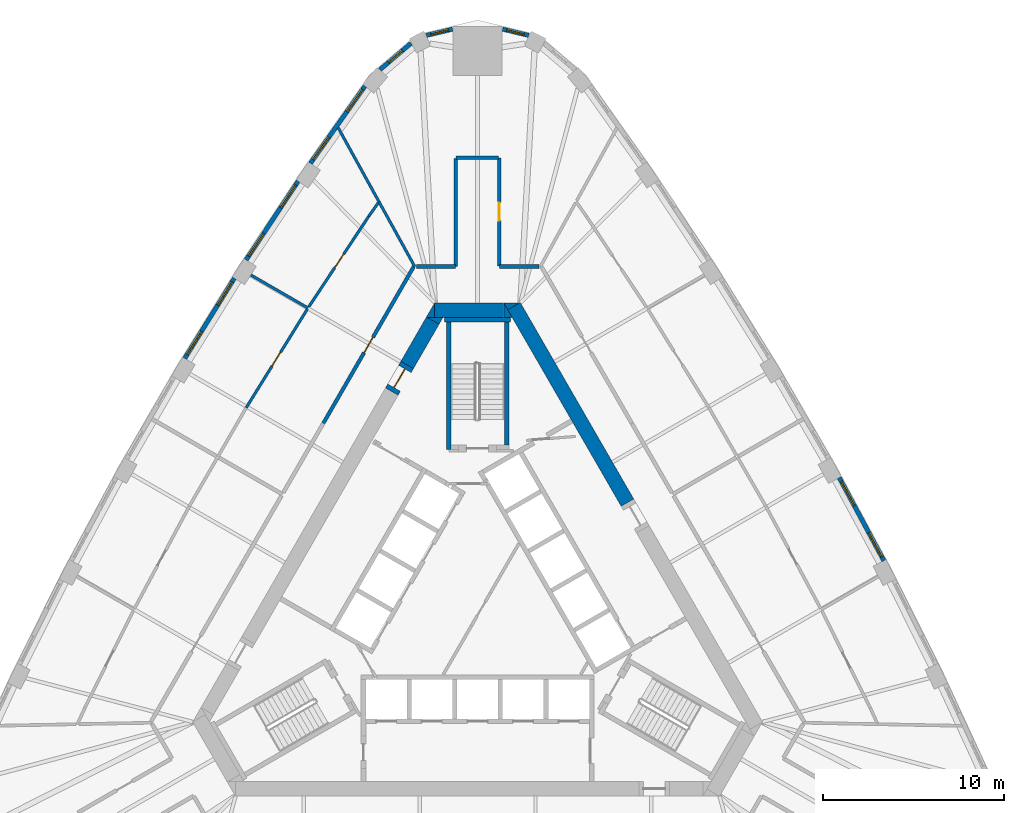
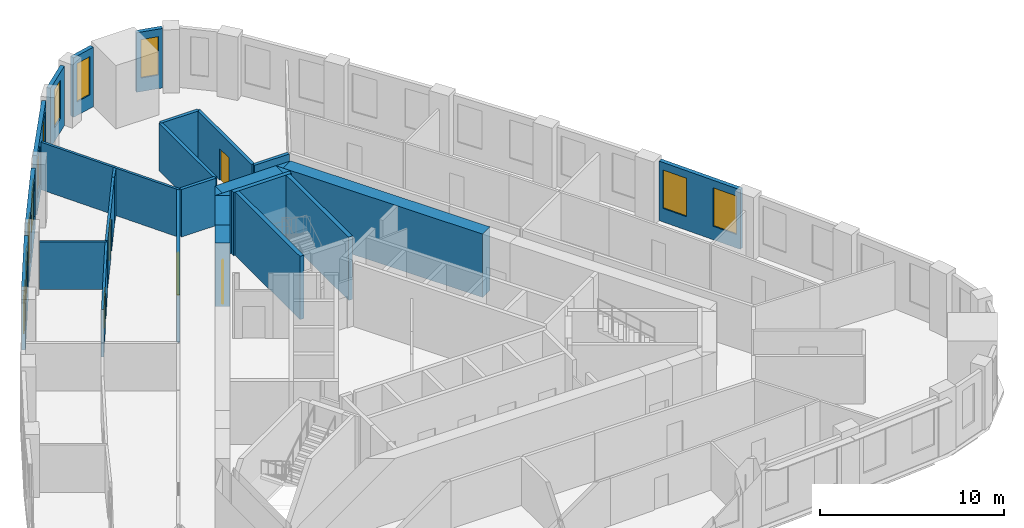
# One storey, part 8 of 10: 30 walls, 11 windows, 5 doors, 16 openings.
"""IFC4 building model written with IfcOpenShell, lengths in metres."""

from ifc_helpers import new_model, si_unit, direction, frame, frame_2d, origin, place, context, subcontext, project, spatial, polyline, rectangle, outline, extrude, material, layer, layer_set, type_object, element, fill, save


model = new_model("IFC4")

# Units and contexts
model_context = context("Model", 3, precision=1e-05, world=origin(), true_north=direction((0.0, 1.0)))
body_context = subcontext(model_context, "Body", "Model", "MODEL_VIEW")
ifc_project = project(units=[si_unit("LENGTHUNIT", "METRE"), si_unit("AREAUNIT", "SQUARE_METRE"), si_unit("VOLUMEUNIT", "CUBIC_METRE"), si_unit("PLANEANGLEUNIT", "RADIAN"), si_unit("MASSUNIT", "GRAM", prefix="KILO")], contexts=[model_context])

# Site, building, storey
site_placement = place(None, origin())
site = spatial("IfcSite", under=ifc_project, at=site_placement, CompositionType="ELEMENT")
building_placement = place(site_placement, origin())
building = spatial("IfcBuilding", under=site, at=building_placement, Name="Mestral Congress Tower", CompositionType="ELEMENT")
storey_placement = place(building_placement, frame((0.0, 0.0, 162.60009765625)))
storey = spatial("IfcBuildingStorey", under=building, at=storey_placement, Name="L38", CompositionType="ELEMENT", Elevation=162.60009765625)

# Walls
ifc_material_1 = material(Name="Concrete C60/75", Category="concrete")
ifc_layer_1 = layer(ifc_material_1, 0.800048828125)
ifc_layer_set_1 = layer_set([ifc_layer_1], Name="Concrete C60/75")
wall_type_1 = type_object("IfcWallType", Name="Core wall RC 800", PredefinedType="SOLIDWALL", material=ifc_layer_set_1)
wall_1_placement = place(storey_placement, frame((8.278564453125, 5.76123046875, 0.0), z_axis=(0.0, 0.0, 1.0), x_axis=(-0.500010359015, 0.866019422922, 0.0)))
element("IfcWall", 1, at=wall_1_placement, inside=storey, type_object=wall_type_1, Name="L38 core wall", PredefinedType="SOLIDWALL", context=body_context, shape_type="SweptSolid", body=[
    extrude(rectangle(XDim=12.527587890625, YDim=0.800048828125, at=frame_2d((6.263671875, 0.0))), origin(), (0.0, 0.0, 1.0), 4.199951171875),
])
placement = place(storey_placement, origin())
element("IfcWall", 2, at=placement, inside=storey, type_object=wall_type_1, Name="L38 core wall", PredefinedType="SOLIDWALL", context=body_context, shape_type="SweptSolid", body=[
    extrude(outline(polyline([(1.443359375, 16.800048828125), (2.33935546875, 16.800048828125), (1.667236328125, 16.412109375), (1.443359375, 16.800048828125)])), origin(), (0.0, 0.0, 1.0), 4.199951171875),
])
wall_3_placement = place(storey_placement, frame((-2.37890625, 16.39990234375, 0.0), z_axis=(0.0, 0.0, 1.0), x_axis=(1.0, 0.0, 0.0)))
element("IfcWall", 3, at=wall_3_placement, inside=storey, type_object=wall_type_1, Name="L38 core wall", PredefinedType="SOLIDWALL", context=body_context, shape_type="SweptSolid", body=[
    extrude(rectangle(XDim=3.82421875, YDim=0.800048828125, at=frame_2d((1.912109375, 0.0))), origin(), (0.0, 0.0, 1.0), 4.199951171875),
])
element("IfcWall", 4, at=placement, inside=storey, type_object=wall_type_1, Name="L38 core wall", PredefinedType="SOLIDWALL", context=body_context, shape_type="SweptSolid", body=[
    extrude(outline(polyline([(1.9052734375, 16.0), (1.447265625, 16.0), (1.447265625, 16.793212890625), (1.9052734375, 16.0)])), origin(), (0.0, 0.0, 1.0), 4.199951171875),
])
element("IfcWall", 5, at=placement, inside=storey, type_object=wall_type_1, Name="L38 core wall", PredefinedType="SOLIDWALL", context=body_context, shape_type="SweptSolid", body=[
    extrude(outline(polyline([(-2.8291015625, 16.0), (-2.381103515625, 16.77587890625), (-2.381103515625, 16.0), (-2.8291015625, 16.0)])), origin(), (0.0, 0.0, 1.0), 4.199951171875),
])
wall_6_placement = place(storey_placement, frame((-2.476806640625, 15.810302734375, 0.0), z_axis=(0.0, 0.0, 1.0), x_axis=(-0.499969377405, -0.866043083026, 0.0)))
element("IfcWall", 6, at=wall_6_placement, inside=storey, type_object=wall_type_1, Name="L38 core wall", PredefinedType="SOLIDWALL", context=body_context, shape_type="SweptSolid", body=[
    extrude(rectangle(XDim=2.824462890625, YDim=0.800048828125, at=frame_2d((1.412109375, 0.0))), origin(), (0.0, 0.0, 1.0), 4.199951171875),
])
element("IfcWall", 7, at=placement, inside=storey, type_object=wall_type_1, Name="L38 core wall", PredefinedType="SOLIDWALL", context=body_context, shape_type="SweptSolid", body=[
    extrude(outline(polyline([(-1.9052734375, 16.0), (-2.12939453125, 15.612060546875), (-2.80126953125, 16.0), (-1.9052734375, 16.0)])), origin(), (0.0, 0.0, 1.0), 4.199951171875),
])

# Wall, opening, door
wall_8_placement = place(storey_placement, frame((-4.739013671875, 11.89208984375, 0.0), z_axis=(0.0, 0.0, 1.0), x_axis=(0.500062241894, 0.865989465428, 0.0)))
wall_8 = element("IfcWall", 8, at=wall_8_placement, inside=storey, type_object=wall_type_1, Name="L38 door wall", PredefinedType="SOLIDWALL", context=body_context, shape_type="SweptSolid", body=[
    extrude(rectangle(XDim=1.699951171875, YDim=0.800048828125, at=frame_2d((0.85009765625, 0.0))), origin(), (0.0, 0.0, 1.0), 4.199951171875),
])
opening_1_placement = place(wall_8_placement, frame((0.25, 0.0, 0.0)))
opening_1 = element("IfcOpeningElement", 9, at=opening_1_placement, cuts=wall_8, Name="Opening XD2", PredefinedType="OPENING", context=body_context, shape_type="SweptSolid", body=[
    extrude(rectangle(XDim=1.199951171875, YDim=2.10009765625, at=frame_2d((0.60009765625, 1.050048828125))), frame((0.0, 0.409912109375, 0.0), z_axis=(0.0, -1.0, 0.0), x_axis=(1.0, 0.0, 0.0)), (0.0, 0.0, 1.0), 0.820068359375),
])
ifc_material_2 = material(Name="Fire-rated steel door set", Category="steel")
door_type_1 = type_object("IfcDoorType", Name="Core door XD 1200x2100", OperationType="SINGLE_SWING_LEFT", PredefinedType="DOOR", material=ifc_material_2)
door_1_placement = place(opening_1_placement, origin())
door_1 = element("IfcDoor", 10, at=door_1_placement, inside=storey, type_object=door_type_1, Name="Door XD2", OperationType="SINGLE_SWING_LEFT", OverallHeight=2.10009765625, OverallWidth=1.199951171875, PredefinedType="DOOR", context=body_context, shape_type="SweptSolid", body=[
    extrude(rectangle(XDim=1.199951171875, YDim=2.10009765625, at=frame_2d((0.60009765625, 1.050048828125))), frame((0.0, 0.02490234375, 0.0), z_axis=(0.0, -1.0, 0.0), x_axis=(1.0, 0.0, 0.0)), (0.0, 0.0, 1.0), 0.050048828125),
])
fill(opening_1, door_1)

# Wall, openings, windows
ifc_material_3 = material(Name="Precast concrete C40/50 with limestone facing", Category="masonry")
ifc_layer_2 = layer(ifc_material_3, 0.239990234375)
ifc_layer_set_2 = layer_set([ifc_layer_2], Name="Precast concrete C40/50 with limestone facing")
wall_type_2 = type_object("IfcWallType", Name="Facade stone wall 240", PredefinedType="SOLIDWALL", material=ifc_layer_set_2)
wall_9_placement = place(storey_placement, frame((22.43994140625, 2.554931640625, 0.0), z_axis=(0.0, 0.0, 1.0), x_axis=(-0.473349833294, 0.880874528704, 0.0)))
wall_9 = element("IfcWall", 11, at=wall_9_placement, inside=storey, type_object=wall_type_2, Name="Facade wall F1-02", PredefinedType="SOLIDWALL", context=body_context, shape_type="SweptSolid", body=[
    extrude(rectangle(XDim=5.20361328125, YDim=0.239990234375, at=frame_2d((2.601806640625, 0.0))), origin(), (0.0, 0.0, 1.0), 3.949951171875),
])
opening_2_placement = place(wall_9_placement, frame((0.248291015625, 0.0, 0.89990234375)))
opening_2 = element("IfcOpeningElement", 12, at=opening_2_placement, cuts=wall_9, Name="Opening W4", PredefinedType="OPENING", context=body_context, shape_type="SweptSolid", body=[
    extrude(rectangle(XDim=1.5, YDim=2.550048828125, at=frame_2d((0.75, 1.27490234375))), frame((0.0, 0.1298828125, 0.0), z_axis=(0.0, -1.0, 0.0), x_axis=(1.0, 0.0, 0.0)), (0.0, 0.0, 1.0), 0.260009765625),
])
opening_3_placement = place(wall_9_placement, frame((3.455078125, 0.0, 0.89990234375)))
opening_3 = element("IfcOpeningElement", 13, at=opening_3_placement, cuts=wall_9, Name="Opening W4", PredefinedType="OPENING", context=body_context, shape_type="SweptSolid", body=[
    extrude(rectangle(XDim=1.5, YDim=2.550048828125, at=frame_2d((0.75, 1.27490234375))), frame((0.0, 0.1298828125, 0.0), z_axis=(0.0, -1.0, 0.0), x_axis=(1.0, 0.0, 0.0)), (0.0, 0.0, 1.0), 0.260009765625),
])
ifc_material_4 = material(Name="Clear low-emissivity double glazing", Category="glass")
window_type_1 = type_object("IfcWindowType", Name="Facade punched window 1500 x 2550 sill 900", PartitioningType="SINGLE_PANEL", PredefinedType="WINDOW", material=ifc_material_4)
window_1_placement = place(opening_2_placement, origin())
window_1 = element("IfcWindow", 14, at=window_1_placement, inside=storey, type_object=window_type_1, Name="Window F1-02a", OverallHeight=2.550048828125, OverallWidth=1.5, PartitioningType="SINGLE_PANEL", PredefinedType="WINDOW", context=body_context, shape_type="SweptSolid", body=[
    extrude(rectangle(XDim=1.5, YDim=2.550048828125, at=frame_2d((0.75, 1.27490234375))), frame((0.0, 0.0400390625, 0.0), z_axis=(0.0, -1.0, 0.0), x_axis=(1.0, 0.0, 0.0)), (0.0, 0.0, 1.0), 0.06005859375),
])
fill(opening_2, window_1)
window_2_placement = place(opening_3_placement, origin())
window_2 = element("IfcWindow", 15, at=window_2_placement, inside=storey, type_object=window_type_1, Name="Window F1-02b", OverallHeight=2.550048828125, OverallWidth=1.5, PartitioningType="SINGLE_PANEL", PredefinedType="WINDOW", context=body_context, shape_type="SweptSolid", body=[
    extrude(rectangle(XDim=1.5, YDim=2.550048828125, at=frame_2d((0.75, 1.27490234375))), frame((0.0, 0.0400390625, 0.0), z_axis=(0.0, -1.0, 0.0), x_axis=(1.0, 0.0, 0.0)), (0.0, 0.0, 1.0), 0.06005859375),
])
fill(opening_3, window_2)

# Wall, opening, window
wall_10_placement = place(storey_placement, frame((2.821044921875, 31.56640625, 0.0), z_axis=(0.0, 0.0, 1.0), x_axis=(-0.972479955788, 0.232986556673, 0.0)))
wall_10 = element("IfcWall", 16, at=wall_10_placement, inside=storey, type_object=wall_type_2, Name="Facade wall K1-1", PredefinedType="SOLIDWALL", context=body_context, shape_type="SweptSolid", body=[
    extrude(rectangle(XDim=1.481689453125, YDim=0.239990234375, at=frame_2d((0.74072265625, 0.0))), origin(), (0.0, 0.0, 1.0), 3.949951171875),
])
opening_4_placement = place(wall_10_placement, frame((0.24072265625, 0.0, 0.89990234375)))
opening_4 = element("IfcOpeningElement", 17, at=opening_4_placement, cuts=wall_10, Name="Opening W5", PredefinedType="OPENING", context=body_context, shape_type="SweptSolid", body=[
    extrude(rectangle(XDim=1.0, YDim=2.550048828125, at=frame_2d((0.5, 1.27490234375))), frame((0.0, 0.1298828125, 0.0), z_axis=(0.0, -1.0, 0.0), x_axis=(1.0, 0.0, 0.0)), (0.0, 0.0, 1.0), 0.260009765625),
])
window_type_2 = type_object("IfcWindowType", Name="Facade punched window 1000 x 2550 sill 900", PartitioningType="SINGLE_PANEL", PredefinedType="WINDOW", material=ifc_material_4)
window_3_placement = place(opening_4_placement, origin())
window_3 = element("IfcWindow", 18, at=window_3_placement, inside=storey, type_object=window_type_2, Name="Window K1-1", OverallHeight=2.550048828125, OverallWidth=1.0, PartitioningType="SINGLE_PANEL", PredefinedType="WINDOW", context=body_context, shape_type="SweptSolid", body=[
    extrude(rectangle(XDim=1.0, YDim=2.550048828125, at=frame_2d((0.5, 1.27490234375))), frame((0.0, 0.0400390625, 0.0), z_axis=(0.0, -1.0, 0.0), x_axis=(1.0, 0.0, 0.0)), (0.0, 0.0, 1.0), 0.06005859375),
])
fill(opening_4, window_3)

wall_11_placement = place(storey_placement, frame((-1.380126953125, 31.91162109375, 0.0), z_axis=(0.0, 0.0, 1.0), x_axis=(-0.972479955788, -0.232986556673, 0.0)))
wall_11 = element("IfcWall", 19, at=wall_11_placement, inside=storey, type_object=wall_type_2, Name="Facade wall K1-2", PredefinedType="SOLIDWALL", context=body_context, shape_type="SweptSolid", body=[
    extrude(rectangle(XDim=1.481689453125, YDim=0.239990234375, at=frame_2d((0.74072265625, 0.0))), origin(), (0.0, 0.0, 1.0), 3.949951171875),
])
opening_5_placement = place(wall_11_placement, frame((0.24072265625, 0.0, 0.89990234375)))
opening_5 = element("IfcOpeningElement", 20, at=opening_5_placement, cuts=wall_11, Name="Opening W5", PredefinedType="OPENING", context=body_context, shape_type="SweptSolid", body=[
    extrude(rectangle(XDim=1.0, YDim=2.550048828125, at=frame_2d((0.5, 1.27490234375))), frame((0.0, 0.1298828125, 0.0), z_axis=(0.0, -1.0, 0.0), x_axis=(1.0, 0.0, 0.0)), (0.0, 0.0, 1.0), 0.260009765625),
])
window_4_placement = place(opening_5_placement, origin())
window_4 = element("IfcWindow", 21, at=window_4_placement, inside=storey, type_object=window_type_2, Name="Window K1-2", OverallHeight=2.550048828125, OverallWidth=1.0, PartitioningType="SINGLE_PANEL", PredefinedType="WINDOW", context=body_context, shape_type="SweptSolid", body=[
    extrude(rectangle(XDim=1.0, YDim=2.550048828125, at=frame_2d((0.5, 1.27490234375))), frame((0.0, 0.0400390625, 0.0), z_axis=(0.0, -1.0, 0.0), x_axis=(1.0, 0.0, 0.0)), (0.0, 0.0, 1.0), 0.06005859375),
])
fill(opening_5, window_4)

wall_12_placement = place(storey_placement, frame((-3.67822265625, 31.130859375, 0.0), z_axis=(0.0, 0.0, 1.0), x_axis=(-0.761419744247, -0.648259186645, 0.0)))
wall_12 = element("IfcWall", 22, at=wall_12_placement, inside=storey, type_object=wall_type_2, Name="Facade wall K1-3", PredefinedType="SOLIDWALL", context=body_context, shape_type="SweptSolid", body=[
    extrude(rectangle(XDim=2.250244140625, YDim=0.239990234375, at=frame_2d((1.125, 0.0))), origin(), (0.0, 0.0, 1.0), 3.949951171875),
])
opening_6_placement = place(wall_12_placement, frame((0.625244140625, 0.0, 0.89990234375)))
opening_6 = element("IfcOpeningElement", 23, at=opening_6_placement, cuts=wall_12, Name="Opening W5", PredefinedType="OPENING", context=body_context, shape_type="SweptSolid", body=[
    extrude(rectangle(XDim=1.0, YDim=2.550048828125, at=frame_2d((0.5, 1.27490234375))), frame((0.0, 0.1298828125, 0.0), z_axis=(0.0, -1.0, 0.0), x_axis=(1.0, 0.0, 0.0)), (0.0, 0.0, 1.0), 0.260009765625),
])
window_5_placement = place(opening_6_placement, origin())
window_5 = element("IfcWindow", 24, at=window_5_placement, inside=storey, type_object=window_type_2, Name="Window K1-3", OverallHeight=2.550048828125, OverallWidth=1.0, PartitioningType="SINGLE_PANEL", PredefinedType="WINDOW", context=body_context, shape_type="SweptSolid", body=[
    extrude(rectangle(XDim=1.0, YDim=2.550048828125, at=frame_2d((0.5, 1.27490234375))), frame((0.0, 0.0400390625, 0.0), z_axis=(0.0, -1.0, 0.0), x_axis=(1.0, 0.0, 0.0)), (0.0, 0.0, 1.0), 0.06005859375),
])
fill(opening_6, window_5)

# Wall, openings, windows
wall_13_placement = place(storey_placement, frame((-6.22265625, 28.76171875, 0.0), z_axis=(0.0, 0.0, 1.0), x_axis=(-0.577115207679, -0.816662743772, 0.0)))
wall_13 = element("IfcWall", 25, at=wall_13_placement, inside=storey, type_object=wall_type_2, Name="Facade wall F2-00", PredefinedType="SOLIDWALL", context=body_context, shape_type="SweptSolid", body=[
    extrude(rectangle(XDim=5.213134765625, YDim=0.239990234375, at=frame_2d((2.6064453125, 0.0))), origin(), (0.0, 0.0, 1.0), 3.949951171875),
])
opening_7_placement = place(wall_13_placement, frame((0.220703125, 0.0, 0.89990234375)))
opening_7 = element("IfcOpeningElement", 26, at=opening_7_placement, cuts=wall_13, Name="Opening W4", PredefinedType="OPENING", context=body_context, shape_type="SweptSolid", body=[
    extrude(rectangle(XDim=1.5, YDim=2.550048828125, at=frame_2d((0.75, 1.27490234375))), frame((0.0, 0.1298828125, 0.0), z_axis=(0.0, -1.0, 0.0), x_axis=(1.0, 0.0, 0.0)), (0.0, 0.0, 1.0), 0.260009765625),
])
opening_8_placement = place(wall_13_placement, frame((3.452392578125, 0.0, 0.89990234375)))
opening_8 = element("IfcOpeningElement", 27, at=opening_8_placement, cuts=wall_13, Name="Opening W4", PredefinedType="OPENING", context=body_context, shape_type="SweptSolid", body=[
    extrude(rectangle(XDim=1.5, YDim=2.550048828125, at=frame_2d((0.75, 1.27490234375))), frame((0.0, 0.1298828125, 0.0), z_axis=(0.0, -1.0, 0.0), x_axis=(1.0, 0.0, 0.0)), (0.0, 0.0, 1.0), 0.260009765625),
])
window_6_placement = place(opening_7_placement, origin())
window_6 = element("IfcWindow", 28, at=window_6_placement, inside=storey, type_object=window_type_1, Name="Window F2-00a", OverallHeight=2.550048828125, OverallWidth=1.5, PartitioningType="SINGLE_PANEL", PredefinedType="WINDOW", context=body_context, shape_type="SweptSolid", body=[
    extrude(rectangle(XDim=1.5, YDim=2.550048828125, at=frame_2d((0.75, 1.27490234375))), frame((0.0, 0.0400390625, 0.0), z_axis=(0.0, -1.0, 0.0), x_axis=(1.0, 0.0, 0.0)), (0.0, 0.0, 1.0), 0.06005859375),
])
fill(opening_7, window_6)
window_7_placement = place(opening_8_placement, origin())
window_7 = element("IfcWindow", 29, at=window_7_placement, inside=storey, type_object=window_type_1, Name="Window F2-00b", OverallHeight=2.550048828125, OverallWidth=1.5, PartitioningType="SINGLE_PANEL", PredefinedType="WINDOW", context=body_context, shape_type="SweptSolid", body=[
    extrude(rectangle(XDim=1.5, YDim=2.550048828125, at=frame_2d((0.75, 1.27490234375))), frame((0.0, 0.0400390625, 0.0), z_axis=(0.0, -1.0, 0.0), x_axis=(1.0, 0.0, 0.0)), (0.0, 0.0, 1.0), 0.06005859375),
])
fill(opening_8, window_7)

wall_14_placement = place(storey_placement, frame((-9.911376953125, 23.510009765625, 0.0), z_axis=(0.0, 0.0, 1.0), x_axis=(-0.551892811511, -0.833915058386, 0.0)))
wall_14 = element("IfcWall", 30, at=wall_14_placement, inside=storey, type_object=wall_type_2, Name="Facade wall F2-01", PredefinedType="SOLIDWALL", context=body_context, shape_type="SweptSolid", body=[
    extrude(rectangle(XDim=5.20361328125, YDim=0.239990234375, at=frame_2d((2.601806640625, 0.0))), origin(), (0.0, 0.0, 1.0), 3.949951171875),
])
opening_9_placement = place(wall_14_placement, frame((0.248291015625, 0.0, 0.89990234375)))
opening_9 = element("IfcOpeningElement", 31, at=opening_9_placement, cuts=wall_14, Name="Opening W4", PredefinedType="OPENING", context=body_context, shape_type="SweptSolid", body=[
    extrude(rectangle(XDim=1.5, YDim=2.550048828125, at=frame_2d((0.75, 1.27490234375))), frame((0.0, 0.1298828125, 0.0), z_axis=(0.0, -1.0, 0.0), x_axis=(1.0, 0.0, 0.0)), (0.0, 0.0, 1.0), 0.260009765625),
])
opening_10_placement = place(wall_14_placement, frame((3.455078125, 0.0, 0.89990234375)))
opening_10 = element("IfcOpeningElement", 32, at=opening_10_placement, cuts=wall_14, Name="Opening W4", PredefinedType="OPENING", context=body_context, shape_type="SweptSolid", body=[
    extrude(rectangle(XDim=1.5, YDim=2.550048828125, at=frame_2d((0.75, 1.27490234375))), frame((0.0, 0.1298828125, 0.0), z_axis=(0.0, -1.0, 0.0), x_axis=(1.0, 0.0, 0.0)), (0.0, 0.0, 1.0), 0.260009765625),
])
window_8_placement = place(opening_9_placement, origin())
window_8 = element("IfcWindow", 33, at=window_8_placement, inside=storey, type_object=window_type_1, Name="Window F2-01a", OverallHeight=2.550048828125, OverallWidth=1.5, PartitioningType="SINGLE_PANEL", PredefinedType="WINDOW", context=body_context, shape_type="SweptSolid", body=[
    extrude(rectangle(XDim=1.5, YDim=2.550048828125, at=frame_2d((0.75, 1.27490234375))), frame((0.0, 0.0400390625, 0.0), z_axis=(0.0, -1.0, 0.0), x_axis=(1.0, 0.0, 0.0)), (0.0, 0.0, 1.0), 0.06005859375),
])
fill(opening_9, window_8)
window_9_placement = place(opening_10_placement, origin())
window_9 = element("IfcWindow", 34, at=window_9_placement, inside=storey, type_object=window_type_1, Name="Window F2-01b", OverallHeight=2.550048828125, OverallWidth=1.5, PartitioningType="SINGLE_PANEL", PredefinedType="WINDOW", context=body_context, shape_type="SweptSolid", body=[
    extrude(rectangle(XDim=1.5, YDim=2.550048828125, at=frame_2d((0.75, 1.27490234375))), frame((0.0, 0.0400390625, 0.0), z_axis=(0.0, -1.0, 0.0), x_axis=(1.0, 0.0, 0.0)), (0.0, 0.0, 1.0), 0.06005859375),
])
fill(opening_10, window_9)

wall_15_placement = place(storey_placement, frame((-13.4326171875, 18.156005859375, 0.0), z_axis=(0.0, 0.0, 1.0), x_axis=(-0.526197926587, -0.850362124072, 0.0)))
wall_15 = element("IfcWall", 35, at=wall_15_placement, inside=storey, type_object=wall_type_2, Name="Facade wall F2-02", PredefinedType="SOLIDWALL", context=body_context, shape_type="SweptSolid", body=[
    extrude(rectangle(XDim=5.203369140625, YDim=0.239990234375, at=frame_2d((2.6015625, 0.0))), origin(), (0.0, 0.0, 1.0), 3.949951171875),
])
opening_11_placement = place(wall_15_placement, frame((0.248291015625, 0.0, 0.89990234375)))
opening_11 = element("IfcOpeningElement", 36, at=opening_11_placement, cuts=wall_15, Name="Opening W4", PredefinedType="OPENING", context=body_context, shape_type="SweptSolid", body=[
    extrude(rectangle(XDim=1.5, YDim=2.550048828125, at=frame_2d((0.75, 1.27490234375))), frame((0.0, 0.1298828125, 0.0), z_axis=(0.0, -1.0, 0.0), x_axis=(1.0, 0.0, 0.0)), (0.0, 0.0, 1.0), 0.260009765625),
])
opening_12_placement = place(wall_15_placement, frame((3.455078125, 0.0, 0.89990234375)))
opening_12 = element("IfcOpeningElement", 37, at=opening_12_placement, cuts=wall_15, Name="Opening W4", PredefinedType="OPENING", context=body_context, shape_type="SweptSolid", body=[
    extrude(rectangle(XDim=1.5, YDim=2.550048828125, at=frame_2d((0.75, 1.27490234375))), frame((0.0, 0.1298828125, 0.0), z_axis=(0.0, -1.0, 0.0), x_axis=(1.0, 0.0, 0.0)), (0.0, 0.0, 1.0), 0.260009765625),
])
window_10_placement = place(opening_11_placement, origin())
window_10 = element("IfcWindow", 38, at=window_10_placement, inside=storey, type_object=window_type_1, Name="Window F2-02a", OverallHeight=2.550048828125, OverallWidth=1.5, PartitioningType="SINGLE_PANEL", PredefinedType="WINDOW", context=body_context, shape_type="SweptSolid", body=[
    extrude(rectangle(XDim=1.5, YDim=2.550048828125, at=frame_2d((0.75, 1.27490234375))), frame((0.0, 0.0400390625, 0.0), z_axis=(0.0, -1.0, 0.0), x_axis=(1.0, 0.0, 0.0)), (0.0, 0.0, 1.0), 0.06005859375),
])
fill(opening_11, window_10)
window_11_placement = place(opening_12_placement, origin())
window_11 = element("IfcWindow", 39, at=window_11_placement, inside=storey, type_object=window_type_1, Name="Window F2-02b", OverallHeight=2.550048828125, OverallWidth=1.5, PartitioningType="SINGLE_PANEL", PredefinedType="WINDOW", context=body_context, shape_type="SweptSolid", body=[
    extrude(rectangle(XDim=1.5, YDim=2.550048828125, at=frame_2d((0.75, 1.27490234375))), frame((0.0, 0.0400390625, 0.0), z_axis=(0.0, -1.0, 0.0), x_axis=(1.0, 0.0, 0.0)), (0.0, 0.0, 1.0), 0.06005859375),
])
fill(opening_12, window_11)

# Walls
ifc_material_5 = material(Name="Plasterboard partition on steel studs", Category="steel")
ifc_layer_3 = layer(ifc_material_5, 0.14990234375)
ifc_layer_set_3 = layer_set([ifc_layer_3], Name="Plasterboard partition on steel studs")
wall_type_3 = type_object("IfcWallType", Name="Office partition 150", PredefinedType="PARTITIONING", material=ifc_layer_set_3)
wall_16_placement = place(storey_placement, frame((-5.44189453125, 22.3740234375, 0.0), z_axis=(0.0, 0.0, 1.0), x_axis=(-0.482987550425, 0.875627218703, 0.0)))
element("IfcWall", 40, at=wall_16_placement, inside=storey, type_object=wall_type_3, Name="Partition", PredefinedType="PARTITIONING", context=body_context, shape_type="SweptSolid", body=[
    extrude(rectangle(XDim=4.672119140625, YDim=0.14990234375, at=frame_2d((2.3359375, 0.0))), origin(), (0.0, 0.0, 1.0), 3.14990234375),
])
wall_17_placement = place(storey_placement, frame((-3.470458984375, 18.800048828125, 0.0), z_axis=(0.0, 0.0, 1.0), x_axis=(-0.482974768035, 0.875634269225, 0.0)))
element("IfcWall", 41, at=wall_17_placement, inside=storey, type_object=wall_type_3, Name="Partition", PredefinedType="PARTITIONING", context=body_context, shape_type="SweptSolid", body=[
    extrude(rectangle(XDim=4.08984375, YDim=0.14990234375, at=frame_2d((2.044921875, 0.0))), origin(), (0.0, 0.0, 1.0), 3.14990234375),
])
wall_18_placement = place(storey_placement, frame((-9.363037109375, 16.5107421875, 0.0), z_axis=(0.0, 0.0, 1.0), x_axis=(-0.866006134298, 0.500033374244, 0.0)))
element("IfcWall", 42, at=wall_18_placement, inside=storey, type_object=wall_type_3, Name="Partition", PredefinedType="PARTITIONING", context=body_context, shape_type="SweptSolid", body=[
    extrude(rectangle(XDim=3.647705078125, YDim=0.14990234375, at=frame_2d((1.82373046875, 0.0))), origin(), (0.0, 0.0, 1.0), 3.14990234375),
])
wall_19_placement = place(storey_placement, frame((-5.4921875, 22.309814453125, 0.0), z_axis=(0.0, 0.0, 1.0), x_axis=(-0.576980663571, -0.816757806124, 0.0)))
element("IfcWall", 43, at=wall_19_placement, inside=storey, type_object=wall_type_3, Name="Partition", PredefinedType="PARTITIONING", context=body_context, shape_type="SweptSolid", body=[
    extrude(rectangle(XDim=0.902099609375, YDim=0.14990234375, at=frame_2d((0.451171875, 0.0))), origin(), (0.0, 0.0, 1.0), 3.14990234375),
])

# Wall, opening, door
wall_20_placement = place(storey_placement, frame((-9.321533203125, 16.573486328125, 0.0), z_axis=(0.0, 0.0, 1.0), x_axis=(0.551906048292, 0.833906298009, 0.0)))
wall_20 = element("IfcWall", 44, at=wall_20_placement, inside=storey, type_object=wall_type_3, Name="Partition", PredefinedType="PARTITIONING", context=body_context, shape_type="SweptSolid", body=[
    extrude(rectangle(XDim=5.995361328125, YDim=0.14990234375, at=frame_2d((2.99755859375, 0.0))), origin(), (0.0, 0.0, 1.0), 3.14990234375),
])
opening_13_placement = place(wall_20_placement, frame((2.595458984375, 0.0, 0.0)))
opening_13 = element("IfcOpeningElement", 45, at=opening_13_placement, cuts=wall_20, Name="Opening O02-012", PredefinedType="OPENING", context=body_context, shape_type="SweptSolid", body=[
    extrude(rectangle(XDim=0.89990234375, YDim=2.10009765625, at=frame_2d((0.449951171875, 1.050048828125))), frame((0.0, 0.0849609375, 0.0), z_axis=(0.0, -1.0, 0.0), x_axis=(1.0, 0.0, 0.0)), (0.0, 0.0, 1.0), 0.169921875),
])
ifc_material_6 = material(Name="Timber door set", Category="wood")
door_type_2 = type_object("IfcDoorType", Name="Office door 900x2100", OperationType="SINGLE_SWING_LEFT", PredefinedType="DOOR", material=ifc_material_6)
door_2_placement = place(opening_13_placement, origin())
door_2 = element("IfcDoor", 46, at=door_2_placement, inside=storey, type_object=door_type_2, Name="Door O02-012", OperationType="SINGLE_SWING_RIGHT", OverallHeight=2.10009765625, OverallWidth=0.89990234375, PredefinedType="DOOR", context=body_context, shape_type="SweptSolid", body=[
    extrude(rectangle(XDim=0.89990234375, YDim=2.10009765625, at=frame_2d((0.449951171875, 1.050048828125))), frame((0.0, 0.02490234375, 0.0), z_axis=(0.0, -1.0, 0.0), x_axis=(1.0, 0.0, 0.0)), (0.0, 0.0, 1.0), 0.050048828125),
])
fill(opening_13, door_2)

wall_21_placement = place(storey_placement, frame((-12.779296875, 11.001953125, 0.0), z_axis=(0.0, 0.0, 1.0), x_axis=(0.527026092571, 0.849849102929, 0.0)))
wall_21 = element("IfcWall", 47, at=wall_21_placement, inside=storey, type_object=wall_type_3, Name="Partition", PredefinedType="PARTITIONING", context=body_context, shape_type="SweptSolid", body=[
    extrude(rectangle(XDim=6.406982421875, YDim=0.14990234375, at=frame_2d((3.20361328125, 0.0))), origin(), (0.0, 0.0, 1.0), 3.14990234375),
])
opening_14_placement = place(wall_21_placement, frame((2.707275390625, 0.0, 0.0)))
opening_14 = element("IfcOpeningElement", 48, at=opening_14_placement, cuts=wall_21, Name="Opening O02-013", PredefinedType="OPENING", context=body_context, shape_type="SweptSolid", body=[
    extrude(rectangle(XDim=0.89990234375, YDim=2.10009765625, at=frame_2d((0.449951171875, 1.050048828125))), frame((0.0, 0.0849609375, 0.0), z_axis=(0.0, -1.0, 0.0), x_axis=(1.0, 0.0, 0.0)), (0.0, 0.0, 1.0), 0.169921875),
])
door_3_placement = place(opening_14_placement, origin())
door_3 = element("IfcDoor", 49, at=door_3_placement, inside=storey, type_object=door_type_2, Name="Door O02-013", OperationType="SINGLE_SWING_LEFT", OverallHeight=2.10009765625, OverallWidth=0.89990234375, PredefinedType="DOOR", context=body_context, shape_type="SweptSolid", body=[
    extrude(rectangle(XDim=0.89990234375, YDim=2.10009765625, at=frame_2d((0.449951171875, 1.050048828125))), frame((0.0, 0.02490234375, 0.0), z_axis=(0.0, -1.0, 0.0), x_axis=(1.0, 0.0, 0.0)), (0.0, 0.0, 1.0), 0.050048828125),
])
fill(opening_14, door_3)

# Wall
ifc_material_7 = material(Name="Dense masonry wall, plastered", Category="masonry")
ifc_layer_4 = layer(ifc_material_7, 0.199951171875)
ifc_layer_set_4 = layer_set([ifc_layer_4], Name="Dense masonry wall, plastered")
wall_type_4 = type_object("IfcWallType", Name="Office tenancy wall 200", PredefinedType="PARTITIONING", material=ifc_layer_set_4)
wall_22_placement = place(storey_placement, frame((3.384765625, 18.800048828125, 0.0), z_axis=(0.0, 0.0, 1.0), x_axis=(-1.0, 0.0, 0.0)))
element("IfcWall", 50, at=wall_22_placement, inside=storey, type_object=wall_type_4, Name="Tenancy wall", PredefinedType="PARTITIONING", context=body_context, shape_type="SweptSolid", body=[
    extrude(rectangle(XDim=2.184814453125, YDim=0.199951171875, at=frame_2d((1.09228515625, 0.0))), origin(), (0.0, 0.0, 1.0), 3.14990234375),
])

# Wall, opening, door
wall_23_placement = place(storey_placement, frame((1.199951171875, 18.830078125, 0.0), z_axis=(0.0, 0.0, 1.0), x_axis=(0.0, 1.0, 0.0)))
wall_23 = element("IfcWall", 51, at=wall_23_placement, inside=storey, type_object=wall_type_4, Name="Tenancy wall", PredefinedType="PARTITIONING", context=body_context, shape_type="SweptSolid", body=[
    extrude(rectangle(XDim=5.969970703125, YDim=0.199951171875, at=frame_2d((2.98486328125, 0.0))), origin(), (0.0, 0.0, 1.0), 3.14990234375),
])
opening_15_placement = place(wall_23_placement, frame((2.5, 0.0, 0.0)))
opening_15 = element("IfcOpeningElement", 52, at=opening_15_placement, cuts=wall_23, Name="Opening O02-011", PredefinedType="OPENING", context=body_context, shape_type="SweptSolid", body=[
    extrude(rectangle(XDim=1.0, YDim=2.10009765625, at=frame_2d((0.5, 1.050048828125))), frame((0.0, 0.10986328125, 0.0), z_axis=(0.0, -1.0, 0.0), x_axis=(1.0, 0.0, 0.0)), (0.0, 0.0, 1.0), 0.219970703125),
])
ifc_material_8 = material(Name="Fire-rated timber door set", Category="wood")
door_type_3 = type_object("IfcDoorType", Name="Office tenancy entrance door 1000x2100", OperationType="SINGLE_SWING_LEFT", PredefinedType="DOOR", material=ifc_material_8)
door_4_placement = place(opening_15_placement, origin())
door_4 = element("IfcDoor", 53, at=door_4_placement, inside=storey, type_object=door_type_3, Name="Door O02-011", OperationType="SINGLE_SWING_RIGHT", OverallHeight=2.10009765625, OverallWidth=1.0, PredefinedType="DOOR", context=body_context, shape_type="SweptSolid", body=[
    extrude(rectangle(XDim=1.0, YDim=2.10009765625, at=frame_2d((0.5, 1.050048828125))), frame((0.0, 0.02490234375, 0.0), z_axis=(0.0, -1.0, 0.0), x_axis=(1.0, 0.0, 0.0)), (0.0, 0.0, 1.0), 0.050048828125),
])
fill(opening_15, door_4)

# Walls
wall_24_placement = place(storey_placement, frame((1.169921875, 24.800048828125, 0.0), z_axis=(0.0, 0.0, 1.0), x_axis=(-1.0, 0.0, 0.0)))
element("IfcWall", 54, at=wall_24_placement, inside=storey, type_object=wall_type_4, Name="Tenancy wall", PredefinedType="PARTITIONING", context=body_context, shape_type="SweptSolid", body=[
    extrude(rectangle(XDim=2.369873046875, YDim=0.199951171875, at=frame_2d((1.18505859375, 0.0))), origin(), (0.0, 0.0, 1.0), 3.14990234375),
])
wall_25_placement = place(storey_placement, frame((-1.199951171875, 24.77001953125, 0.0), z_axis=(0.0, 0.0, 1.0), x_axis=(0.0, -1.0, 0.0)))
element("IfcWall", 55, at=wall_25_placement, inside=storey, type_object=wall_type_4, Name="Tenancy wall", PredefinedType="PARTITIONING", context=body_context, shape_type="SweptSolid", body=[
    extrude(rectangle(XDim=5.969970703125, YDim=0.199951171875, at=frame_2d((2.98486328125, 0.0))), origin(), (0.0, 0.0, 1.0), 3.14990234375),
])
wall_26_placement = place(storey_placement, frame((-1.22998046875, 18.800048828125, 0.0), z_axis=(0.0, 0.0, 1.0), x_axis=(-1.0, 0.0, 0.0)))
element("IfcWall", 56, at=wall_26_placement, inside=storey, type_object=wall_type_4, Name="Tenancy wall", PredefinedType="PARTITIONING", context=body_context, shape_type="SweptSolid", body=[
    extrude(rectangle(XDim=2.15478515625, YDim=0.199951171875, at=frame_2d((1.077392578125, 0.0))), origin(), (0.0, 0.0, 1.0), 3.14990234375),
])

# Wall, opening, door
wall_27_placement = place(storey_placement, frame((-3.521728515625, 18.800048828125, 0.0), z_axis=(0.0, 0.0, 1.0), x_axis=(-0.500015783377, -0.866016291056, 0.0)))
wall_27 = element("IfcWall", 57, at=wall_27_placement, inside=storey, type_object=wall_type_4, Name="Tenancy wall", PredefinedType="PARTITIONING", context=body_context, shape_type="SweptSolid", body=[
    extrude(rectangle(XDim=9.990478515625, YDim=0.199951171875, at=frame_2d((4.9951171875, 0.0))), origin(), (0.0, 0.0, 1.0), 3.14990234375),
])
opening_16_placement = place(wall_27_placement, frame((4.5, 0.0, 0.0)))
opening_16 = element("IfcOpeningElement", 58, at=opening_16_placement, cuts=wall_27, Name="Opening O02-014", PredefinedType="OPENING", context=body_context, shape_type="SweptSolid", body=[
    extrude(rectangle(XDim=1.0, YDim=2.10009765625, at=frame_2d((0.5, 1.050048828125))), frame((0.0, 0.10986328125, 0.0), z_axis=(0.0, -1.0, 0.0), x_axis=(1.0, 0.0, 0.0)), (0.0, 0.0, 1.0), 0.219970703125),
])
door_5_placement = place(opening_16_placement, origin())
door_5 = element("IfcDoor", 59, at=door_5_placement, inside=storey, type_object=door_type_3, Name="Door O02-014", OperationType="SINGLE_SWING_RIGHT", OverallHeight=2.10009765625, OverallWidth=1.0, PredefinedType="DOOR", context=body_context, shape_type="SweptSolid", body=[
    extrude(rectangle(XDim=1.0, YDim=2.10009765625, at=frame_2d((0.5, 1.050048828125))), frame((0.0, 0.02490234375, 0.0), z_axis=(0.0, -1.0, 0.0), x_axis=(1.0, 0.0, 0.0)), (0.0, 0.0, 1.0), 0.050048828125),
])
fill(opening_16, door_5)

# Walls
ifc_layer_5 = layer(ifc_material_1, 0.25)
ifc_layer_set_5 = layer_set([ifc_layer_5], Name="Concrete C60/75")
wall_type_5 = type_object("IfcWallType", Name="Stair wall RC 250", PredefinedType="SOLIDWALL", material=ifc_layer_set_5)
wall_28_placement = place(storey_placement, frame((-1.81689453125, 15.875, 0.0), z_axis=(0.0, 0.0, 1.0), x_axis=(1.0, 0.0, 0.0)))
element("IfcWall", 60, at=wall_28_placement, inside=storey, type_object=wall_type_5, Name="L38 core wall", PredefinedType="SOLIDWALL", context=body_context, shape_type="SweptSolid", body=[
    extrude(rectangle(XDim=3.6337890625, YDim=0.25, at=frame_2d((1.81689453125, 0.0))), origin(), (0.0, 0.0, 1.0), 4.199951171875),
])
wall_29_placement = place(storey_placement, frame((1.60009765625, 8.949951171875, 0.0), z_axis=(0.0, 0.0, 1.0), x_axis=(0.0, 1.0, 0.0)))
element("IfcWall", 61, at=wall_29_placement, inside=storey, type_object=wall_type_5, Name="L38 core wall", PredefinedType="SOLIDWALL", context=body_context, shape_type="SweptSolid", body=[
    extrude(rectangle(XDim=6.800048828125, YDim=0.25, at=frame_2d((3.39990234375, 0.0))), origin(), (0.0, 0.0, 1.0), 4.199951171875),
])
wall_30_placement = place(storey_placement, frame((-1.60009765625, 8.699951171875, 0.0), z_axis=(0.0, 0.0, 1.0), x_axis=(0.0, 1.0, 0.0)))
element("IfcWall", 62, at=wall_30_placement, inside=storey, type_object=wall_type_5, Name="L38 core wall", PredefinedType="SOLIDWALL", context=body_context, shape_type="SweptSolid", body=[
    extrude(rectangle(XDim=7.050048828125, YDim=0.25, at=frame_2d((3.52490234375, 0.0))), origin(), (0.0, 0.0, 1.0), 4.199951171875),
])

save(model, "model.ifc")
